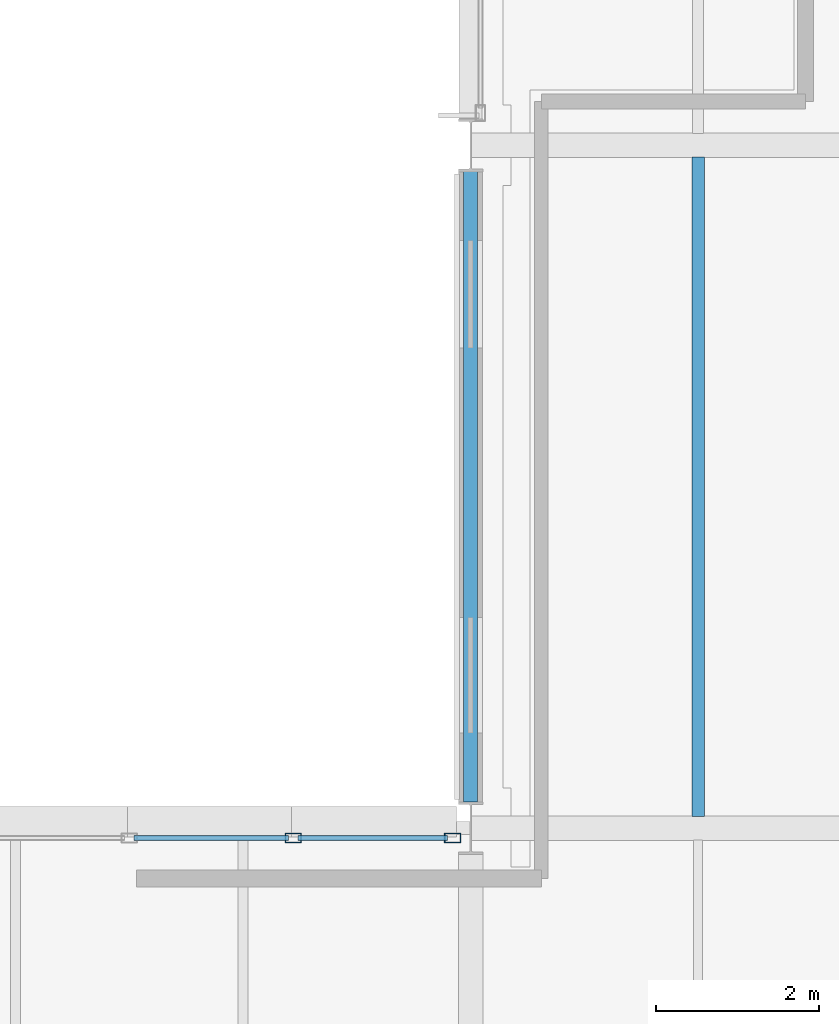
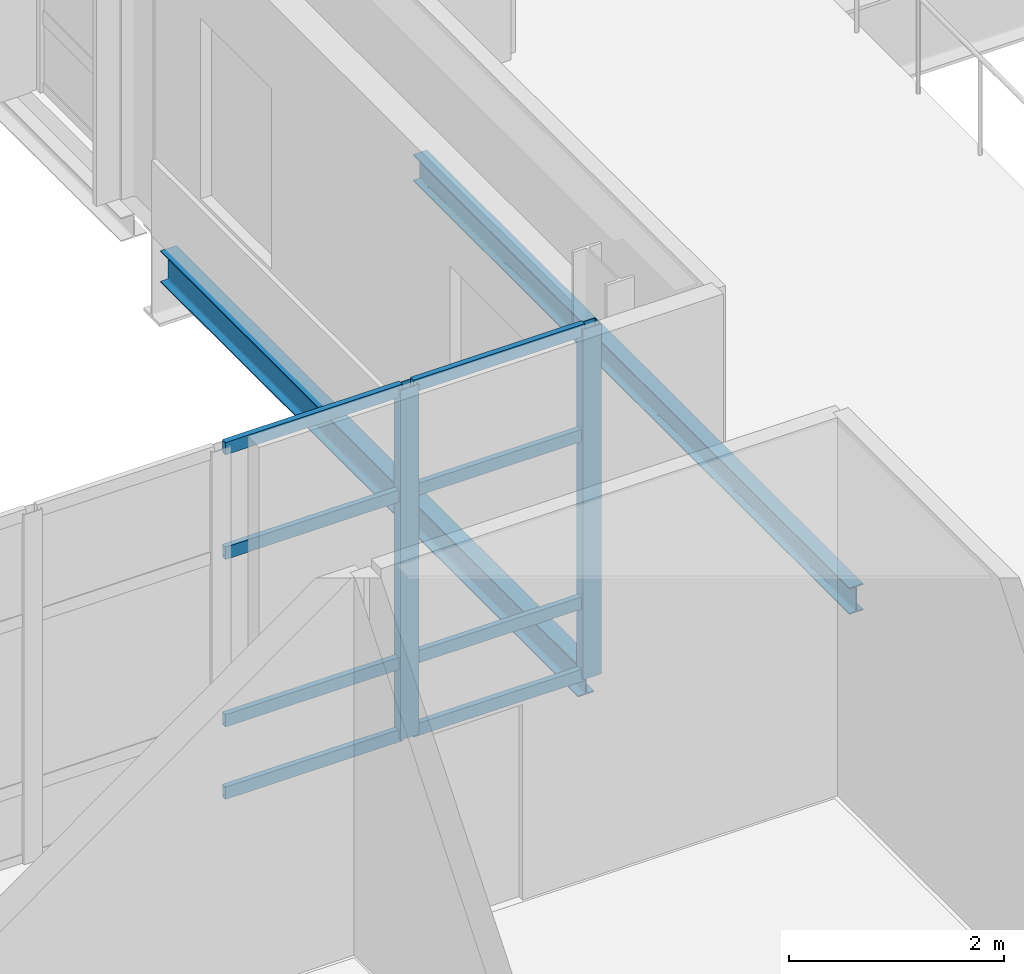
# One storey, part 31 of 129: 10 members, 2 beams, 1 element without a shape of its own.
"""IFC4 building model written with IfcOpenShell, lengths in metres."""

from ifc_helpers import new_model, si_unit, direction, frame, origin, origin_2d, place, context, subcontext, project, spatial, hollow_rectangle, i_section, extrude, material, material_profile, profile_set, type_object, element, aggregate, save


model = new_model("IFC4")

# Units and contexts
model_context = context("Model", 3, precision=1e-05, world=origin(), true_north=direction((0.0, 1.0)))
body_context = subcontext(model_context, "Body", "Model", "MODEL_VIEW")
ifc_project = project(units=[si_unit("LENGTHUNIT", "METRE"), si_unit("AREAUNIT", "SQUARE_METRE"), si_unit("VOLUMEUNIT", "CUBIC_METRE"), si_unit("PLANEANGLEUNIT", "RADIAN"), si_unit("MASSUNIT", "GRAM", prefix="KILO")], contexts=[model_context])

# Site, building, storey
site_placement = place(None, origin())
site = spatial("IfcSite", under=ifc_project, at=site_placement, CompositionType="ELEMENT")
building_placement = place(site_placement, origin())
building = spatial("IfcBuilding", under=site, at=building_placement, Name="Mersafa Astral City Hall", CompositionType="ELEMENT")
storey_placement = place(building_placement, frame((0.0, 0.0, 5.39990234375)))
storey = spatial("IfcBuildingStorey", under=building, at=storey_placement, Name="L01", CompositionType="ELEMENT", Elevation=5.39990234375)

# Curtain wall, members
ifc_material_1 = material(Name="Anodised bronze aluminium framing", Category="aluminium")
curtain_wall_type = type_object("IfcCurtainWallType", Name="ENV-CW-6", PredefinedType="USERDEFINED", material=ifc_material_1)
curtain_wall_placement = place(storey_placement, origin())
curtain_wall = element("IfcCurtainWall", 1, at=curtain_wall_placement, inside=storey, type_object=curtain_wall_type, Name="L01 Unitised solar curtain wall 95", ObjectType="UNITISED CURTAIN WALL", PredefinedType="USERDEFINED")
ifc_material_profile_1 = material_profile(ifc_material_1, hollow_rectangle(XDim=0.1201171875, YDim=0.199951171875, WallThickness=0.008056640625, at=origin_2d()), Name="RHS 120x200x8")
ifc_profile_set_1 = profile_set([ifc_material_profile_1], Name="Anodised bronze aluminium framing")
member_type_1 = type_object("IfcMemberType", Name="ENV-CW-MUL-2", PredefinedType="MULLION", material=ifc_profile_set_1)
member_1_placement = place(storey_placement, frame((92.177978515625, 58.679931640625, -0.001953125), z_axis=(0.0, 0.0, 1.0), x_axis=(0.0, -1.0, 0.0)))
member_1 = element("IfcMember", 2, at=member_1_placement, type_object=member_type_1, Name="CW-6 mullion 1", PredefinedType="MULLION", context=body_context, shape_type="SweptSolid", body=[
    extrude(hollow_rectangle(XDim=0.1201171875, YDim=0.199951171875, WallThickness=0.008056640625, at=origin_2d()), origin(), (0.0, 0.0, 1.0), 3.968994140625),
])
member_2_placement = place(storey_placement, frame((90.218994140625, 58.679931640625, -0.001953125), z_axis=(0.0, 0.0, 1.0), x_axis=(0.0, -1.0, 0.0)))
member_2 = element("IfcMember", 3, at=member_2_placement, type_object=member_type_1, Name="CW-6 mullion 2", PredefinedType="MULLION", context=body_context, shape_type="SweptSolid", body=[
    extrude(hollow_rectangle(XDim=0.1201171875, YDim=0.199951171875, WallThickness=0.008056640625, at=origin_2d()), origin(), (0.0, 0.0, 1.0), 3.968994140625),
])
ifc_material_profile_2 = material_profile(ifc_material_1, hollow_rectangle(XDim=0.06005859375, YDim=0.139892578125, WallThickness=0.00390625, at=origin_2d()), Name="RHS 60x140x4")
ifc_profile_set_2 = profile_set([ifc_material_profile_2], Name="Anodised bronze aluminium framing")
member_type_2 = type_object("IfcMemberType", Name="ENV-CW-TRN-1", PredefinedType="USERDEFINED", material=ifc_profile_set_2)
member_3_placement = place(storey_placement, frame((92.117919921875, 58.679931640625, 0.028076171875), z_axis=(-1.0, 0.0, 0.0), x_axis=(0.0, -1.0, 0.0)))
member_3 = element("IfcMember", 4, at=member_3_placement, type_object=member_type_2, Name="CW-6 transom 1.1", ObjectType="TRANSOM", PredefinedType="USERDEFINED", context=body_context, shape_type="SweptSolid", body=[
    extrude(hollow_rectangle(XDim=0.06005859375, YDim=0.139892578125, WallThickness=0.00390625, at=origin_2d()), origin(), (0.0, 0.0, 1.0), 1.8388671875),
])
member_4_placement = place(storey_placement, frame((92.117919921875, 58.679931640625, 0.85009765625), z_axis=(-1.0, 0.0, 0.0), x_axis=(0.0, -1.0, 0.0)))
member_4 = element("IfcMember", 5, at=member_4_placement, type_object=member_type_2, Name="CW-6 transom 1.2", ObjectType="TRANSOM", PredefinedType="USERDEFINED", context=body_context, shape_type="SweptSolid", body=[
    extrude(hollow_rectangle(XDim=0.06005859375, YDim=0.139892578125, WallThickness=0.00390625, at=origin_2d()), origin(), (0.0, 0.0, 1.0), 1.8388671875),
])
member_5_placement = place(storey_placement, frame((92.117919921875, 58.679931640625, 2.75), z_axis=(-1.0, 0.0, 0.0), x_axis=(0.0, -1.0, 0.0)))
member_5 = element("IfcMember", 6, at=member_5_placement, type_object=member_type_2, Name="CW-6 transom 1.3", ObjectType="TRANSOM", PredefinedType="USERDEFINED", context=body_context, shape_type="SweptSolid", body=[
    extrude(hollow_rectangle(XDim=0.06005859375, YDim=0.139892578125, WallThickness=0.00390625, at=origin_2d()), origin(), (0.0, 0.0, 1.0), 1.8388671875),
])
member_6_placement = place(storey_placement, frame((92.117919921875, 58.679931640625, 3.93701171875), z_axis=(-1.0, 0.0, 0.0), x_axis=(0.0, -1.0, 0.0)))
member_6 = element("IfcMember", 7, at=member_6_placement, type_object=member_type_2, Name="CW-6 transom 1.4", ObjectType="TRANSOM", PredefinedType="USERDEFINED", context=body_context, shape_type="SweptSolid", body=[
    extrude(hollow_rectangle(XDim=0.06005859375, YDim=0.139892578125, WallThickness=0.00390625, at=origin_2d()), origin(), (0.0, 0.0, 1.0), 1.8388671875),
])
member_7_placement = place(storey_placement, frame((90.158935546875, 58.679931640625, 0.028076171875), z_axis=(-1.0, 0.0, 0.0), x_axis=(0.0, -1.0, 0.0)))
member_7 = element("IfcMember", 8, at=member_7_placement, type_object=member_type_2, Name="CW-6 transom 2.1", ObjectType="TRANSOM", PredefinedType="USERDEFINED", context=body_context, shape_type="SweptSolid", body=[
    extrude(hollow_rectangle(XDim=0.06005859375, YDim=0.139892578125, WallThickness=0.00390625, at=origin_2d()), origin(), (0.0, 0.0, 1.0), 1.89892578125),
])
member_8_placement = place(storey_placement, frame((90.158935546875, 58.679931640625, 0.85009765625), z_axis=(-1.0, 0.0, 0.0), x_axis=(0.0, -1.0, 0.0)))
member_8 = element("IfcMember", 9, at=member_8_placement, type_object=member_type_2, Name="CW-6 transom 2.2", ObjectType="TRANSOM", PredefinedType="USERDEFINED", context=body_context, shape_type="SweptSolid", body=[
    extrude(hollow_rectangle(XDim=0.06005859375, YDim=0.139892578125, WallThickness=0.00390625, at=origin_2d()), origin(), (0.0, 0.0, 1.0), 1.89892578125),
])
member_9_placement = place(storey_placement, frame((90.158935546875, 58.679931640625, 2.75), z_axis=(-1.0, 0.0, 0.0), x_axis=(0.0, -1.0, 0.0)))
member_9 = element("IfcMember", 10, at=member_9_placement, type_object=member_type_2, Name="CW-6 transom 2.3", ObjectType="TRANSOM", PredefinedType="USERDEFINED", context=body_context, shape_type="SweptSolid", body=[
    extrude(hollow_rectangle(XDim=0.06005859375, YDim=0.139892578125, WallThickness=0.00390625, at=origin_2d()), origin(), (0.0, 0.0, 1.0), 1.89892578125),
])
member_10_placement = place(storey_placement, frame((90.158935546875, 58.679931640625, 3.93701171875), z_axis=(-1.0, 0.0, 0.0), x_axis=(0.0, -1.0, 0.0)))
member_10 = element("IfcMember", 11, at=member_10_placement, type_object=member_type_2, Name="CW-6 transom 2.4", ObjectType="TRANSOM", PredefinedType="USERDEFINED", context=body_context, shape_type="SweptSolid", body=[
    extrude(hollow_rectangle(XDim=0.06005859375, YDim=0.139892578125, WallThickness=0.00390625, at=origin_2d()), origin(), (0.0, 0.0, 1.0), 1.89892578125),
])
aggregate(curtain_wall, [member_1, member_2, member_3, member_4, member_5, member_6, member_7, member_8, member_9, member_10])

# Beams
ifc_material_2 = material(Name="Steel S355", Category="steel")
ifc_material_profile_3 = material_profile(ifc_material_2, i_section(OverallWidth=0.14990234375, OverallDepth=0.300048828125, WebThickness=0.007080078125, FlangeThickness=0.0107421875, FilletRadius=0.014892578125, at=origin_2d()), Name="IPE 300")
ifc_profile_set_3 = profile_set([ifc_material_profile_3], Name="Steel S355")
beam_type_1 = type_object("IfcBeamType", Name="STR-BM-JOIST-IPE300", PredefinedType="JOIST", material=ifc_profile_set_3)
beam_1_placement = place(storey_placement, frame((95.199951171875, 58.945068359375, -0.375), z_axis=(0.0, 1.0, 0.0), x_axis=(-1.0, 0.0, 0.0)))
element("IfcBeam", 12, at=beam_1_placement, inside=storey, type_object=beam_type_1, Name="L01 Composite secondary floor joist 276", PredefinedType="JOIST", context=body_context, shape_type="SweptSolid", body=[
    extrude(i_section(OverallWidth=0.14990234375, OverallDepth=0.300048828125, WebThickness=0.007080078125, FlangeThickness=0.0107421875, FilletRadius=0.014892578125, at=origin_2d()), origin(), (0.0, 0.0, 1.0), 8.10986328125),
])
ifc_material_profile_4 = material_profile(ifc_material_2, i_section(OverallWidth=0.169921875, OverallDepth=0.360107421875, WebThickness=0.008056640625, FlangeThickness=0.0126953125, FilletRadius=0.01806640625, at=origin_2d()), Name="IPE 360")
ifc_profile_set_4 = profile_set([ifc_material_profile_4], Name="Steel S355")
beam_type_2 = type_object("IfcBeamType", Name="STR-BM-SPANDREL-IPE360", PredefinedType="SPANDREL", material=ifc_profile_set_4)
beam_2_placement = place(storey_placement, frame((92.39990234375, 59.1201171875, -0.40478515625), z_axis=(0.0, 1.0, 0.0), x_axis=(-1.0, 0.0, 0.0)))
element("IfcBeam", 13, at=beam_2_placement, inside=storey, type_object=beam_type_2, Name="L01 Primary girder Y 11-7", PredefinedType="SPANDREL", context=body_context, shape_type="SweptSolid", body=[
    extrude(i_section(OverallWidth=0.169921875, OverallDepth=0.360107421875, WebThickness=0.008056640625, FlangeThickness=0.0126953125, FilletRadius=0.01806640625, at=origin_2d()), origin(), (0.0, 0.0, 1.0), 7.759765625),
])

save(model, "model.ifc")
